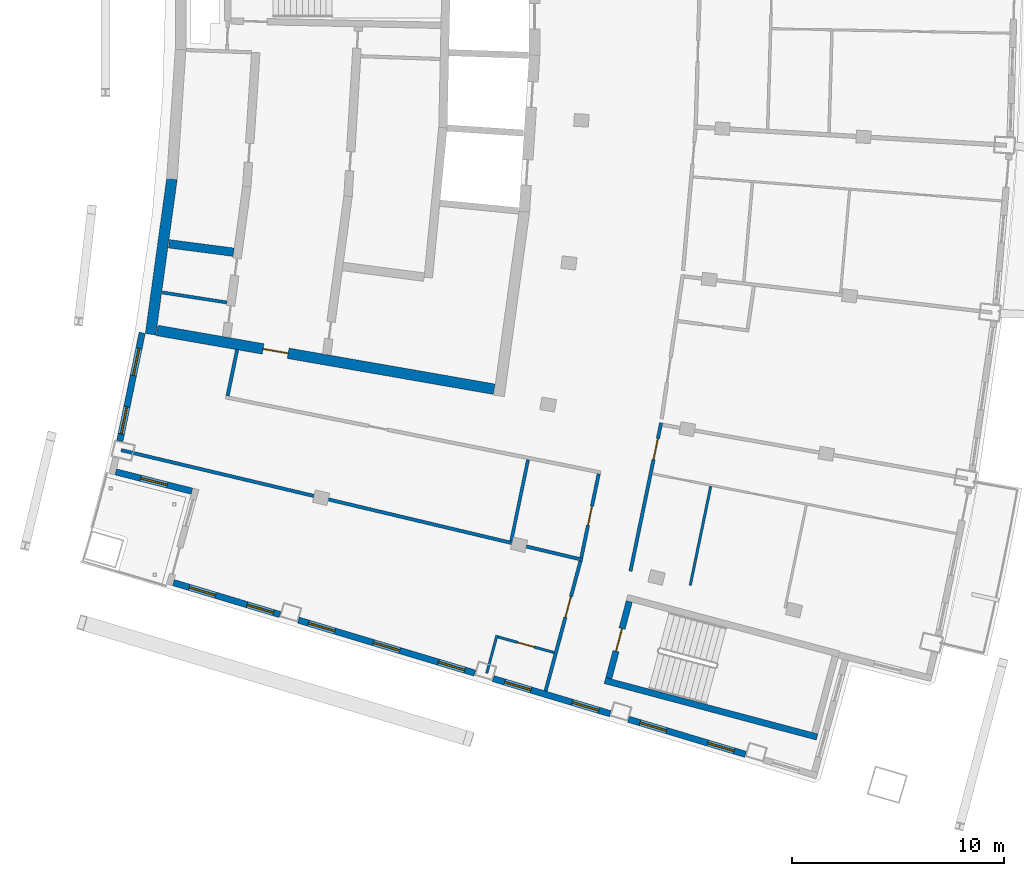
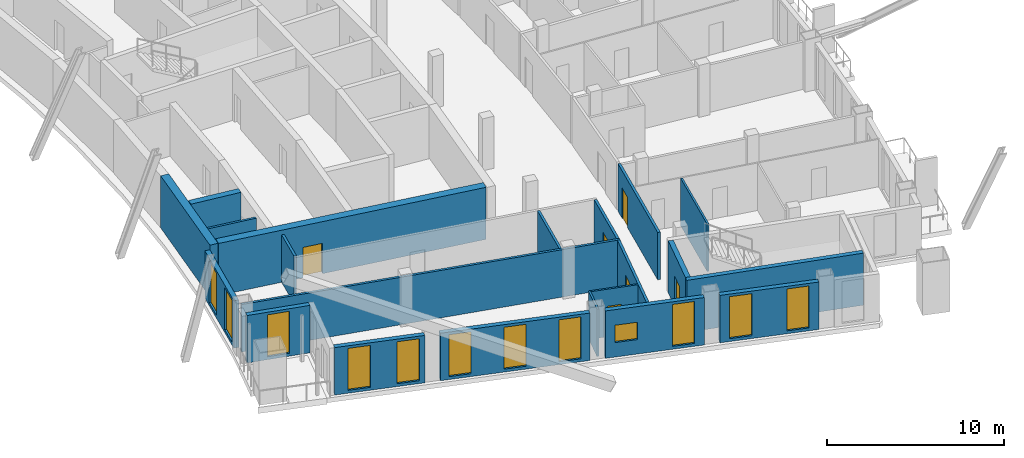
# One storey, part 7 of 17: 21 walls, 12 windows, 6 doors, 18 openings.
"""IFC4 building model written with IfcOpenShell, lengths in metres."""

from ifc_helpers import new_model, si_unit, direction, frame, frame_2d, origin, place, context, subcontext, project, spatial, rectangle, extrude, material, layer, layer_set, type_object, element, fill, save


model = new_model("IFC4")

# Units and contexts
model_context = context("Model", 3, precision=1e-05, world=origin(), true_north=direction((0.0, 1.0)))
body_context = subcontext(model_context, "Body", "Model", "MODEL_VIEW")
ifc_project = project(units=[si_unit("LENGTHUNIT", "METRE"), si_unit("AREAUNIT", "SQUARE_METRE"), si_unit("VOLUMEUNIT", "CUBIC_METRE"), si_unit("PLANEANGLEUNIT", "RADIAN"), si_unit("MASSUNIT", "GRAM", prefix="KILO")], contexts=[model_context])

# Site, building, storey
site_placement = place(None, origin())
site = spatial("IfcSite", under=ifc_project, at=site_placement, CompositionType="ELEMENT")
building_placement = place(site_placement, origin())
building = spatial("IfcBuilding", under=site, at=building_placement, Name="Alderwake Tower", CompositionType="ELEMENT")
storey_placement = place(building_placement, frame((0.0, 0.0, 278.0)))
storey = spatial("IfcBuildingStorey", under=building, at=storey_placement, Name="L69", CompositionType="ELEMENT", Elevation=278.0)

# Walls
ifc_material_1 = material(Name="Gypsum shaft wall system, rated")
ifc_layer_1 = layer(ifc_material_1, 0.14990234375)
ifc_layer_set_1 = layer_set([ifc_layer_1], Name="Core room partition 150")
wall_type_1 = type_object("IfcWallType", Name="Core room partition 150", PredefinedType="PARTITIONING", material=ifc_layer_set_1)
wall_1_placement = place(storey_placement, frame((15.826416015625, 46.128662109375, 0.0), z_axis=(0.0, 0.0, 1.0), x_axis=(0.988169349882, -0.153366671587, 0.0)))
element("IfcWall", 1, at=wall_1_placement, inside=storey, type_object=wall_type_1, Name="CW/L69/PR-161_+0", PredefinedType="PARTITIONING", context=body_context, shape_type="SweptSolid", body=[
    extrude(rectangle(XDim=3.081787109375, YDim=0.14990234375, at=frame_2d((1.541015625, 0.0))), origin(), (0.0, 0.0, 1.0), 3.280029296875),
])
ifc_material_2 = material(Name="Concrete C70/85", Category="concrete")
ifc_layer_2 = layer(ifc_material_2, 0.5)
ifc_layer_set_2 = layer_set([ifc_layer_2], Name="Core wall outer 500 C70-85")
wall_type_2 = type_object("IfcWallType", Name="Core wall outer 500 C70-85", PredefinedType="SHEAR", material=ifc_layer_set_2)
wall_2_placement = place(storey_placement, frame((15.272216796875, 44.155029296875, 0.0), z_axis=(0.0, 0.0, 1.0), x_axis=(0.13632182908, 0.990664604655, 0.0)))
element("IfcWall", 2, at=wall_2_placement, inside=storey, type_object=wall_type_2, Name="Core wall CW.028", PredefinedType="SHEAR", context=body_context, shape_type="SweptSolid", body=[
    extrude(rectangle(XDim=7.408935546875, YDim=0.5, at=frame_2d((3.70458984375, 0.0))), origin(), (0.0, 0.0, 1.0), 3.60009765625),
])

# Wall, opening, door
wall_3_placement = place(storey_placement, frame((31.47802734375, 41.564453125, 0.0), z_axis=(0.0, 0.0, 1.0), x_axis=(-0.985140274783, 0.171751678306, 0.0)))
wall_3 = element("IfcWall", 3, at=wall_3_placement, inside=storey, type_object=wall_type_2, Name="Core wall CW.072", PredefinedType="SHEAR", context=body_context, shape_type="SweptSolid", body=[
    extrude(rectangle(XDim=16.137939453125, YDim=0.5, at=frame_2d((8.06884765625, 0.0))), origin(), (0.0, 0.0, 1.0), 3.60009765625),
])
opening_1_placement = place(wall_3_placement, frame((9.859619140625, 0.0, 0.0)))
opening_1 = element("IfcOpeningElement", 4, at=opening_1_placement, cuts=wall_3, Name="Opening C003", PredefinedType="OPENING", context=body_context, shape_type="SweptSolid", body=[
    extrude(rectangle(XDim=1.199951171875, YDim=2.10009765625, at=frame_2d((0.60009765625, 1.050048828125))), frame((0.0, 0.260009765625, 0.0), z_axis=(0.0, -1.0, 0.0), x_axis=(1.0, 0.0, 0.0)), (0.0, 0.0, 1.0), 0.52001953125),
])
ifc_material_3 = material(Name="Steel-framed fire door leaf", Category="steel")
door_type_1 = type_object("IfcDoorType", Name="Core lobby exit door 1200 fire-rated", OperationType="SINGLE_SWING_LEFT", PredefinedType="DOOR", material=ifc_material_3)
door_1_placement = place(opening_1_placement, origin())
door_1 = element("IfcDoor", 5, at=door_1_placement, inside=storey, type_object=door_type_1, Name="Lobby door", OperationType="SINGLE_SWING_LEFT", OverallHeight=2.10009765625, OverallWidth=1.199951171875, PredefinedType="DOOR", context=body_context, shape_type="SweptSolid", body=[
    extrude(rectangle(XDim=1.199951171875, YDim=2.10009765625, at=frame_2d((0.60009765625, 1.050048828125))), frame((0.0, 0.02490234375, 0.0), z_axis=(0.0, -1.0, 0.0), x_axis=(1.0, 0.0, 0.0)), (0.0, 0.0, 1.0), 0.050048828125),
])
fill(opening_1, door_1)

# Walls
ifc_material_4 = material(Name="Concrete C70/85", Category="concrete")
ifc_layer_3 = layer(ifc_material_4, 0.39990234375)
ifc_layer_set_3 = layer_set([ifc_layer_3], Name="Core wall spine 400 C70-85")
wall_type_3 = type_object("IfcWallType", Name="Core wall spine 400 C70-85", PredefinedType="SHEAR", material=ifc_layer_set_3)
wall_4_placement = place(storey_placement, frame((16.142578125, 48.42529296875, 0.0), z_axis=(0.0, 0.0, 1.0), x_axis=(0.991550757989, -0.129719290517, 0.0)))
element("IfcWall", 6, at=wall_4_placement, inside=storey, type_object=wall_type_3, Name="Core wall CW.067", PredefinedType="SHEAR", context=body_context, shape_type="SweptSolid", body=[
    extrude(rectangle(XDim=3.0751953125, YDim=0.39990234375, at=frame_2d((1.53759765625, 0.0))), origin(), (0.0, 0.0, 1.0), 3.60009765625),
])
ifc_material_5 = material(Name="Concrete C70/85", Category="concrete")
ifc_layer_4 = layer(ifc_material_5, 0.300048828125)
ifc_layer_set_4 = layer_set([ifc_layer_4], Name="Core wall stair enclosure 300 C70-85")
wall_type_4 = type_object("IfcWallType", Name="Core wall stair enclosure 300 C70-85", PredefinedType="SHEAR", material=ifc_layer_set_4)
wall_5_placement = place(storey_placement, frame((36.71142578125, 27.817626953125, 0.0), z_axis=(0.0, 0.0, 1.0), x_axis=(0.966309214305, -0.257383958996, 0.0)))
element("IfcWall", 7, at=wall_5_placement, inside=storey, type_object=wall_type_4, Name="Core wall CW.088", PredefinedType="SHEAR", context=body_context, shape_type="SweptSolid", body=[
    extrude(rectangle(XDim=10.360107421875, YDim=0.300048828125, at=frame_2d((5.18017578125, 0.0))), origin(), (0.0, 0.0, 1.0), 3.60009765625),
])

# Wall, opening, door
wall_6_placement = place(storey_placement, frame((36.89501953125, 27.923828125, 0.0), z_axis=(0.0, 0.0, 1.0), x_axis=(0.257350630826, 0.966318090907, 0.0)))
wall_6 = element("IfcWall", 8, at=wall_6_placement, inside=storey, type_object=wall_type_4, Name="Core wall CW.087", PredefinedType="SHEAR", context=body_context, shape_type="SweptSolid", body=[
    extrude(rectangle(XDim=3.75, YDim=0.300048828125, at=frame_2d((1.875, 0.0))), origin(), (0.0, 0.0, 1.0), 3.60009765625),
])
opening_2_placement = place(wall_6_placement, frame((1.324951171875, 0.0, 0.0)))
opening_2 = element("IfcOpeningElement", 9, at=opening_2_placement, cuts=wall_6, Name="Opening C065", PredefinedType="OPENING", context=body_context, shape_type="SweptSolid", body=[
    extrude(rectangle(XDim=1.10009765625, YDim=2.10009765625, at=frame_2d((0.550048828125, 1.050048828125))), frame((0.0, 0.159912109375, 0.0), z_axis=(0.0, -1.0, 0.0), x_axis=(1.0, 0.0, 0.0)), (0.0, 0.0, 1.0), 0.320068359375),
])
ifc_material_6 = material(Name="Steel-framed fire door leaf", Category="steel")
door_type_2 = type_object("IfcDoorType", Name="Core stair door 1100 fire-rated", OperationType="SINGLE_SWING_LEFT", PredefinedType="DOOR", material=ifc_material_6)
door_2_placement = place(opening_2_placement, origin())
door_2 = element("IfcDoor", 10, at=door_2_placement, inside=storey, type_object=door_type_2, Name="Stair door", OperationType="SINGLE_SWING_LEFT", OverallHeight=2.10009765625, OverallWidth=1.10009765625, PredefinedType="DOOR", context=body_context, shape_type="SweptSolid", body=[
    extrude(rectangle(XDim=1.10009765625, YDim=2.10009765625, at=frame_2d((0.550048828125, 1.050048828125))), frame((0.0, 0.02490234375, 0.0), z_axis=(0.0, -1.0, 0.0), x_axis=(1.0, 0.0, 0.0)), (0.0, 0.0, 1.0), 0.050048828125),
])
fill(opening_2, door_2)

# Walls
ifc_material_7 = material(Name="Gypsum board on metal studs, rated")
ifc_layer_5 = layer(ifc_material_7, 0.159912109375)
ifc_layer_set_5 = layer_set([ifc_layer_5], Name="Corridor wall 160")
wall_type_5 = type_object("IfcWallType", Name="Corridor wall 160", PredefinedType="PARTITIONING", material=ifc_layer_set_5)
wall_7_placement = place(storey_placement, frame((13.884033203125, 38.68798828125, 0.0), z_axis=(0.0, 0.0, 1.0), x_axis=(0.972893462073, -0.231253781493, 0.0)))
element("IfcWall", 11, at=wall_7_placement, inside=storey, type_object=wall_type_5, Name="WL/L69/W08", PredefinedType="PARTITIONING", context=body_context, shape_type="SweptSolid", body=[
    extrude(rectangle(XDim=22.38037109375, YDim=0.159912109375, at=frame_2d((11.190185546875, 0.0))), origin(), (0.0, 0.0, 1.0), 3.280029296875),
])
wall_8_placement = place(storey_placement, frame((19.35888671875, 43.430908203125, 0.0), z_axis=(0.0, 0.0, 1.0), x_axis=(-0.202554916658, -0.979270905183, 0.0)))
element("IfcWall", 12, at=wall_8_placement, inside=storey, type_object=wall_type_5, Name="WL/L69/W11", PredefinedType="PARTITIONING", context=body_context, shape_type="SweptSolid", body=[
    extrude(rectangle(XDim=2.229736328125, YDim=0.159912109375, at=frame_2d((1.11474609375, 0.0))), origin(), (0.0, 0.0, 1.0), 3.280029296875),
])

# Wall, opening, door
wall_9_placement = place(storey_placement, frame((33.912109375, 27.321044921875, 0.0), z_axis=(0.0, 0.0, 1.0), x_axis=(0.259370874835, 0.965777794986, 0.0)))
wall_9 = element("IfcWall", 13, at=wall_9_placement, inside=storey, type_object=wall_type_5, Name="WL/L69/W14", PredefinedType="PARTITIONING", context=body_context, shape_type="SweptSolid", body=[
    extrude(rectangle(XDim=6.349853515625, YDim=0.159912109375, at=frame_2d((3.1748046875, 0.0))), origin(), (0.0, 0.0, 1.0), 3.280029296875),
])
opening_3_placement = place(wall_9_placement, frame((3.603515625, 0.0, 0.0)))
opening_3 = element("IfcOpeningElement", 14, at=opening_3_placement, cuts=wall_9, Name="Opening R20-U08.1", PredefinedType="OPENING", context=body_context, shape_type="SweptSolid", body=[
    extrude(rectangle(XDim=1.0, YDim=2.10009765625, at=frame_2d((0.5, 1.050048828125))), frame((0.0, 0.08984375, 0.0), z_axis=(0.0, -1.0, 0.0), x_axis=(1.0, 0.0, 0.0)), (0.0, 0.0, 1.0), 0.179931640625),
])
ifc_material_8 = material(Name="Solid timber leaf in steel frame", Category="steel")
door_type_3 = type_object("IfcDoorType", Name="Flat entrance door 1000 fire-rated", OperationType="SINGLE_SWING_LEFT", PredefinedType="DOOR", material=ifc_material_8)
door_3_placement = place(opening_3_placement, origin())
door_3 = element("IfcDoor", 15, at=door_3_placement, inside=storey, type_object=door_type_3, Name="DR/L69/U08.1", OperationType="SINGLE_SWING_LEFT", OverallHeight=2.10009765625, OverallWidth=1.0, PredefinedType="DOOR", context=body_context, shape_type="SweptSolid", body=[
    extrude(rectangle(XDim=1.0, YDim=2.10009765625, at=frame_2d((0.5, 1.050048828125))), frame((0.0, 0.02490234375, 0.0), z_axis=(0.0, -1.0, 0.0), x_axis=(1.0, 0.0, 0.0)), (0.0, 0.0, 1.0), 0.050048828125),
])
fill(opening_3, door_3)

wall_10_placement = place(storey_placement, frame((35.59619140625, 33.609375, 0.0), z_axis=(0.0, 0.0, 1.0), x_axis=(0.203245920818, 0.979127721838, 0.0)))
wall_10 = element("IfcWall", 16, at=wall_10_placement, inside=storey, type_object=wall_type_5, Name="WL/L69/W16", PredefinedType="PARTITIONING", context=body_context, shape_type="SweptSolid", body=[
    extrude(rectangle(XDim=4.046875, YDim=0.159912109375, at=frame_2d((2.0234375, 0.0))), origin(), (0.0, 0.0, 1.0), 3.280029296875),
])
opening_4_placement = place(wall_10_placement, frame((1.573486328125, 0.0, 0.0)))
opening_4 = element("IfcOpeningElement", 17, at=opening_4_placement, cuts=wall_10, Name="Opening R20-SBS2", PredefinedType="OPENING", context=body_context, shape_type="SweptSolid", body=[
    extrude(rectangle(XDim=0.89990234375, YDim=2.10009765625, at=frame_2d((0.449951171875, 1.050048828125))), frame((0.0, 0.08984375, 0.0), z_axis=(0.0, -1.0, 0.0), x_axis=(1.0, 0.0, 0.0)), (0.0, 0.0, 1.0), 0.179931640625),
])
ifc_material_9 = material(Name="Painted timber leaf", Category="wood")
door_type_4 = type_object("IfcDoorType", Name="Room door 900", OperationType="SINGLE_SWING_LEFT", PredefinedType="DOOR", material=ifc_material_9)
door_4_placement = place(opening_4_placement, origin())
door_4 = element("IfcDoor", 18, at=door_4_placement, inside=storey, type_object=door_type_4, Name="DR/L69/SBS2", OperationType="SINGLE_SWING_LEFT", OverallHeight=2.10009765625, OverallWidth=0.89990234375, PredefinedType="DOOR", context=body_context, shape_type="SweptSolid", body=[
    extrude(rectangle(XDim=0.89990234375, YDim=2.10009765625, at=frame_2d((0.449951171875, 1.050048828125))), frame((0.0, 0.02490234375, 0.0), z_axis=(0.0, -1.0, 0.0), x_axis=(1.0, 0.0, 0.0)), (0.0, 0.0, 1.0), 0.050048828125),
])
fill(opening_4, door_4)

wall_11_placement = place(storey_placement, frame((39.3642578125, 39.975341796875, 0.0), z_axis=(0.0, 0.0, 1.0), x_axis=(-0.202490391407, -0.979284249535, 0.0)))
wall_11 = element("IfcWall", 19, at=wall_11_placement, inside=storey, type_object=wall_type_5, Name="WL/L69/W18", PredefinedType="PARTITIONING", context=body_context, shape_type="SweptSolid", body=[
    extrude(rectangle(XDim=7.147216796875, YDim=0.159912109375, at=frame_2d((3.57373046875, 0.0))), origin(), (0.0, 0.0, 1.0), 3.280029296875),
])
opening_5_placement = place(wall_11_placement, frame((0.7568359375, 0.0, 0.0)))
opening_5 = element("IfcOpeningElement", 20, at=opening_5_placement, cuts=wall_11, Name="Opening R20-U03.2", PredefinedType="OPENING", context=body_context, shape_type="SweptSolid", body=[
    extrude(rectangle(XDim=1.0, YDim=2.10009765625, at=frame_2d((0.5, 1.050048828125))), frame((0.0, 0.08984375, 0.0), z_axis=(0.0, -1.0, 0.0), x_axis=(1.0, 0.0, 0.0)), (0.0, 0.0, 1.0), 0.179931640625),
])
door_5_placement = place(opening_5_placement, origin())
door_5 = element("IfcDoor", 21, at=door_5_placement, inside=storey, type_object=door_type_3, Name="DR/L69/U03.2", OperationType="SINGLE_SWING_LEFT", OverallHeight=2.10009765625, OverallWidth=1.0, PredefinedType="DOOR", context=body_context, shape_type="SweptSolid", body=[
    extrude(rectangle(XDim=1.0, YDim=2.10009765625, at=frame_2d((0.5, 1.050048828125))), frame((0.0, 0.02490234375, 0.0), z_axis=(0.0, -1.0, 0.0), x_axis=(1.0, 0.0, 0.0)), (0.0, 0.0, 1.0), 0.050048828125),
])
fill(opening_5, door_5)

# Wall, openings, windows
ifc_material_10 = material(Name="Precast concrete C50/60 spandrel panel", Category="concrete")
ifc_layer_6 = layer(ifc_material_10, 0.300048828125)
ifc_layer_set_6 = layer_set([ifc_layer_6], Name="External wall EW1 Precast concrete C50/60 spandrel")
wall_type_6 = type_object("IfcWallType", Name="External wall EW1 Precast concrete C50/60 spandrel", PredefinedType="SOLIDWALL", material=ifc_layer_set_6)
wall_12_placement = place(storey_placement, frame((14.878173828125, 44.223388671875, 0.0), z_axis=(0.0, 0.0, 1.0), x_axis=(-0.202760516883, -0.979228355795, 0.0)))
wall_12 = element("IfcWall", 22, at=wall_12_placement, inside=storey, type_object=wall_type_6, Name="External wall 32", PredefinedType="SOLIDWALL", context=body_context, shape_type="SweptSolid", body=[
    extrude(rectangle(XDim=5.211181640625, YDim=0.300048828125, at=frame_2d((2.60546875, 0.0))), origin(), (0.0, 0.0, 1.0), 3.280029296875),
])
opening_6_placement = place(wall_12_placement, frame((0.75634765625, 0.0, 0.199951171875)))
opening_6 = element("IfcOpeningElement", 23, at=opening_6_placement, cuts=wall_12, Name="Opening W1", PredefinedType="OPENING", context=body_context, shape_type="SweptSolid", body=[
    extrude(rectangle(XDim=1.300048828125, YDim=2.89990234375, at=frame_2d((0.64990234375, 1.449951171875))), frame((0.0, 0.159912109375, 0.0), z_axis=(0.0, -1.0, 0.0), x_axis=(1.0, 0.0, 0.0)), (0.0, 0.0, 1.0), 0.320068359375),
])
opening_7_placement = place(wall_12_placement, frame((3.569091796875, 0.0, 0.199951171875)))
opening_7 = element("IfcOpeningElement", 24, at=opening_7_placement, cuts=wall_12, Name="Opening W1", PredefinedType="OPENING", context=body_context, shape_type="SweptSolid", body=[
    extrude(rectangle(XDim=1.300048828125, YDim=2.89990234375, at=frame_2d((0.64990234375, 1.449951171875))), frame((0.0, 0.159912109375, 0.0), z_axis=(0.0, -1.0, 0.0), x_axis=(1.0, 0.0, 0.0)), (0.0, 0.0, 1.0), 0.320068359375),
])
ifc_material_11 = material(Name="Bronze tinted glass in aluminium frame", Category="aluminium")
window_type_1 = type_object("IfcWindowType", Name="Window W1 tall fixed and vent", PartitioningType="DOUBLE_PANEL_VERTICAL", PredefinedType="WINDOW", material=ifc_material_11)
window_1_placement = place(opening_6_placement, origin())
window_1 = element("IfcWindow", 25, at=window_1_placement, inside=storey, type_object=window_type_1, Name="Window W1 tall fixed and vent", OverallHeight=2.89990234375, OverallWidth=1.300048828125, PartitioningType="DOUBLE_PANEL_VERTICAL", PredefinedType="WINDOW", context=body_context, shape_type="SweptSolid", body=[
    extrude(rectangle(XDim=1.300048828125, YDim=2.89990234375, at=frame_2d((0.64990234375, 1.449951171875))), frame((0.0, 0.030029296875, 0.0), z_axis=(0.0, -1.0, 0.0), x_axis=(1.0, 0.0, 0.0)), (0.0, 0.0, 1.0), 0.06005859375),
])
fill(opening_6, window_1)
window_2_placement = place(opening_7_placement, origin())
window_2 = element("IfcWindow", 26, at=window_2_placement, inside=storey, type_object=window_type_1, Name="Window W1 tall fixed and vent", OverallHeight=2.89990234375, OverallWidth=1.300048828125, PartitioningType="DOUBLE_PANEL_VERTICAL", PredefinedType="WINDOW", context=body_context, shape_type="SweptSolid", body=[
    extrude(rectangle(XDim=1.300048828125, YDim=2.89990234375, at=frame_2d((0.64990234375, 1.449951171875))), frame((0.0, 0.030029296875, 0.0), z_axis=(0.0, -1.0, 0.0), x_axis=(1.0, 0.0, 0.0)), (0.0, 0.0, 1.0), 0.06005859375),
])
fill(opening_7, window_2)

# Wall, opening, window
ifc_material_12 = material(Name="Bronze metal cladding on lightweight framing")
ifc_layer_7 = layer(ifc_material_12, 0.300048828125)
ifc_layer_set_7 = layer_set([ifc_layer_7], Name="External wall EW2 bronze metal cladding")
wall_type_7 = type_object("IfcWallType", Name="External wall EW2 bronze metal cladding", PredefinedType="SOLIDWALL", material=ifc_layer_set_7)
wall_13_placement = place(storey_placement, frame((13.633056640625, 37.660400390625, 0.0), z_axis=(0.0, 0.0, 1.0), x_axis=(0.969417366605, -0.245417948254, 0.0)))
wall_13 = element("IfcWall", 27, at=wall_13_placement, inside=storey, type_object=wall_type_7, Name="External wall 2", PredefinedType="SOLIDWALL", context=body_context, shape_type="SweptSolid", body=[
    extrude(rectangle(XDim=3.70556640625, YDim=0.300048828125, at=frame_2d((1.852783203125, 0.0))), origin(), (0.0, 0.0, 1.0), 3.280029296875),
])
opening_8_placement = place(wall_13_placement, frame((1.202880859375, 0.0, 0.199951171875)))
opening_8 = element("IfcOpeningElement", 28, at=opening_8_placement, cuts=wall_13, Name="Opening W1", PredefinedType="OPENING", context=body_context, shape_type="SweptSolid", body=[
    extrude(rectangle(XDim=1.300048828125, YDim=2.89990234375, at=frame_2d((0.64990234375, 1.449951171875))), frame((0.0, 0.159912109375, 0.0), z_axis=(0.0, -1.0, 0.0), x_axis=(1.0, 0.0, 0.0)), (0.0, 0.0, 1.0), 0.320068359375),
])
window_3_placement = place(opening_8_placement, origin())
window_3 = element("IfcWindow", 29, at=window_3_placement, inside=storey, type_object=window_type_1, Name="Window W1 tall fixed and vent", OverallHeight=2.89990234375, OverallWidth=1.300048828125, PartitioningType="DOUBLE_PANEL_VERTICAL", PredefinedType="WINDOW", context=body_context, shape_type="SweptSolid", body=[
    extrude(rectangle(XDim=1.300048828125, YDim=2.89990234375, at=frame_2d((0.64990234375, 1.449951171875))), frame((0.0, 0.030029296875, 0.0), z_axis=(0.0, -1.0, 0.0), x_axis=(1.0, 0.0, 0.0)), (0.0, 0.0, 1.0), 0.06005859375),
])
fill(opening_8, window_3)

# Wall, openings, windows
wall_14_placement = place(storey_placement, frame((16.352783203125, 32.4375, 0.0), z_axis=(0.0, 0.0, 1.0), x_axis=(0.957768668152, -0.287539872551, 0.0)))
wall_14 = element("IfcWall", 30, at=wall_14_placement, inside=storey, type_object=wall_type_7, Name="External wall 4", PredefinedType="SOLIDWALL", context=body_context, shape_type="SweptSolid", body=[
    extrude(rectangle(XDim=5.249755859375, YDim=0.300048828125, at=frame_2d((2.625, 0.0))), origin(), (0.0, 0.0, 1.0), 3.280029296875),
])
opening_9_placement = place(wall_14_placement, frame((0.775390625, 0.0, 0.199951171875)))
opening_9 = element("IfcOpeningElement", 31, at=opening_9_placement, cuts=wall_14, Name="Opening W1", PredefinedType="OPENING", context=body_context, shape_type="SweptSolid", body=[
    extrude(rectangle(XDim=1.300048828125, YDim=2.89990234375, at=frame_2d((0.64990234375, 1.449951171875))), frame((0.0, 0.159912109375, 0.0), z_axis=(0.0, -1.0, 0.0), x_axis=(1.0, 0.0, 0.0)), (0.0, 0.0, 1.0), 0.320068359375),
])
opening_10_placement = place(wall_14_placement, frame((3.626220703125, 0.0, 0.199951171875)))
opening_10 = element("IfcOpeningElement", 32, at=opening_10_placement, cuts=wall_14, Name="Opening W1", PredefinedType="OPENING", context=body_context, shape_type="SweptSolid", body=[
    extrude(rectangle(XDim=1.300048828125, YDim=2.89990234375, at=frame_2d((0.64990234375, 1.449951171875))), frame((0.0, 0.159912109375, 0.0), z_axis=(0.0, -1.0, 0.0), x_axis=(1.0, 0.0, 0.0)), (0.0, 0.0, 1.0), 0.320068359375),
])
window_4_placement = place(opening_9_placement, origin())
window_4 = element("IfcWindow", 33, at=window_4_placement, inside=storey, type_object=window_type_1, Name="Window W1 tall fixed and vent", OverallHeight=2.89990234375, OverallWidth=1.300048828125, PartitioningType="DOUBLE_PANEL_VERTICAL", PredefinedType="WINDOW", context=body_context, shape_type="SweptSolid", body=[
    extrude(rectangle(XDim=1.300048828125, YDim=2.89990234375, at=frame_2d((0.64990234375, 1.449951171875))), frame((0.0, 0.030029296875, 0.0), z_axis=(0.0, -1.0, 0.0), x_axis=(1.0, 0.0, 0.0)), (0.0, 0.0, 1.0), 0.06005859375),
])
fill(opening_9, window_4)
window_5_placement = place(opening_10_placement, origin())
window_5 = element("IfcWindow", 34, at=window_5_placement, inside=storey, type_object=window_type_1, Name="Window W1 tall fixed and vent", OverallHeight=2.89990234375, OverallWidth=1.300048828125, PartitioningType="DOUBLE_PANEL_VERTICAL", PredefinedType="WINDOW", context=body_context, shape_type="SweptSolid", body=[
    extrude(rectangle(XDim=1.300048828125, YDim=2.89990234375, at=frame_2d((0.64990234375, 1.449951171875))), frame((0.0, 0.030029296875, 0.0), z_axis=(0.0, -1.0, 0.0), x_axis=(1.0, 0.0, 0.0)), (0.0, 0.0, 1.0), 0.06005859375),
])
fill(opening_10, window_5)

wall_15_placement = place(storey_placement, frame((22.24658203125, 30.668212890625, 0.0), z_axis=(0.0, 0.0, 1.0), x_axis=(0.957762902908, -0.287559075345, 0.0)))
wall_15 = element("IfcWall", 35, at=wall_15_placement, inside=storey, type_object=wall_type_7, Name="External wall 5", PredefinedType="SOLIDWALL", context=body_context, shape_type="SweptSolid", body=[
    extrude(rectangle(XDim=8.696533203125, YDim=0.300048828125, at=frame_2d((4.34814453125, 0.0))), origin(), (0.0, 0.0, 1.0), 3.280029296875),
])
opening_11_placement = place(wall_15_placement, frame((0.498046875, 0.0, 0.199951171875)))
opening_11 = element("IfcOpeningElement", 36, at=opening_11_placement, cuts=wall_15, Name="Opening W1", PredefinedType="OPENING", context=body_context, shape_type="SweptSolid", body=[
    extrude(rectangle(XDim=1.300048828125, YDim=2.89990234375, at=frame_2d((0.64990234375, 1.449951171875))), frame((0.0, 0.159912109375, 0.0), z_axis=(0.0, -1.0, 0.0), x_axis=(1.0, 0.0, 0.0)), (0.0, 0.0, 1.0), 0.320068359375),
])
opening_12_placement = place(wall_15_placement, frame((3.697998046875, 0.0, 0.199951171875)))
opening_12 = element("IfcOpeningElement", 37, at=opening_12_placement, cuts=wall_15, Name="Opening W1", PredefinedType="OPENING", context=body_context, shape_type="SweptSolid", body=[
    extrude(rectangle(XDim=1.300048828125, YDim=2.89990234375, at=frame_2d((0.64990234375, 1.449951171875))), frame((0.0, 0.159912109375, 0.0), z_axis=(0.0, -1.0, 0.0), x_axis=(1.0, 0.0, 0.0)), (0.0, 0.0, 1.0), 0.320068359375),
])
opening_13_placement = place(wall_15_placement, frame((6.898193359375, 0.0, 0.199951171875)))
opening_13 = element("IfcOpeningElement", 38, at=opening_13_placement, cuts=wall_15, Name="Opening W1", PredefinedType="OPENING", context=body_context, shape_type="SweptSolid", body=[
    extrude(rectangle(XDim=1.300048828125, YDim=2.89990234375, at=frame_2d((0.64990234375, 1.449951171875))), frame((0.0, 0.159912109375, 0.0), z_axis=(0.0, -1.0, 0.0), x_axis=(1.0, 0.0, 0.0)), (0.0, 0.0, 1.0), 0.320068359375),
])
window_6_placement = place(opening_11_placement, origin())
window_6 = element("IfcWindow", 39, at=window_6_placement, inside=storey, type_object=window_type_1, Name="Window W1 tall fixed and vent", OverallHeight=2.89990234375, OverallWidth=1.300048828125, PartitioningType="DOUBLE_PANEL_VERTICAL", PredefinedType="WINDOW", context=body_context, shape_type="SweptSolid", body=[
    extrude(rectangle(XDim=1.300048828125, YDim=2.89990234375, at=frame_2d((0.64990234375, 1.449951171875))), frame((0.0, 0.030029296875, 0.0), z_axis=(0.0, -1.0, 0.0), x_axis=(1.0, 0.0, 0.0)), (0.0, 0.0, 1.0), 0.06005859375),
])
fill(opening_11, window_6)
window_7_placement = place(opening_12_placement, origin())
window_7 = element("IfcWindow", 40, at=window_7_placement, inside=storey, type_object=window_type_1, Name="Window W1 tall fixed and vent", OverallHeight=2.89990234375, OverallWidth=1.300048828125, PartitioningType="DOUBLE_PANEL_VERTICAL", PredefinedType="WINDOW", context=body_context, shape_type="SweptSolid", body=[
    extrude(rectangle(XDim=1.300048828125, YDim=2.89990234375, at=frame_2d((0.64990234375, 1.449951171875))), frame((0.0, 0.030029296875, 0.0), z_axis=(0.0, -1.0, 0.0), x_axis=(1.0, 0.0, 0.0)), (0.0, 0.0, 1.0), 0.06005859375),
])
fill(opening_12, window_7)
window_8_placement = place(opening_13_placement, origin())
window_8 = element("IfcWindow", 41, at=window_8_placement, inside=storey, type_object=window_type_1, Name="Window W1 tall fixed and vent", OverallHeight=2.89990234375, OverallWidth=1.300048828125, PartitioningType="DOUBLE_PANEL_VERTICAL", PredefinedType="WINDOW", context=body_context, shape_type="SweptSolid", body=[
    extrude(rectangle(XDim=1.300048828125, YDim=2.89990234375, at=frame_2d((0.64990234375, 1.449951171875))), frame((0.0, 0.030029296875, 0.0), z_axis=(0.0, -1.0, 0.0), x_axis=(1.0, 0.0, 0.0)), (0.0, 0.0, 1.0), 0.06005859375),
])
fill(opening_13, window_8)

wall_16_placement = place(storey_placement, frame((31.441162109375, 27.90771484375, 0.0), z_axis=(0.0, 0.0, 1.0), x_axis=(0.957767971424, -0.287542193278, 0.0)))
wall_16 = element("IfcWall", 42, at=wall_16_placement, inside=storey, type_object=wall_type_7, Name="External wall 6", PredefinedType="SOLIDWALL", context=body_context, shape_type="SweptSolid", body=[
    extrude(rectangle(XDim=5.763427734375, YDim=0.300048828125, at=frame_2d((2.8818359375, 0.0))), origin(), (0.0, 0.0, 1.0), 3.280029296875),
])
opening_14_placement = place(wall_16_placement, frame((0.56494140625, 0.0, 1.0)))
opening_14 = element("IfcOpeningElement", 43, at=opening_14_placement, cuts=wall_16, Name="Opening W2", PredefinedType="OPENING", context=body_context, shape_type="SweptSolid", body=[
    extrude(rectangle(XDim=1.300048828125, YDim=1.199951171875, at=frame_2d((0.64990234375, 0.60009765625))), frame((0.0, 0.159912109375, 0.0), z_axis=(0.0, -1.0, 0.0), x_axis=(1.0, 0.0, 0.0)), (0.0, 0.0, 1.0), 0.320068359375),
])
opening_15_placement = place(wall_16_placement, frame((3.898193359375, 0.0, 0.199951171875)))
opening_15 = element("IfcOpeningElement", 44, at=opening_15_placement, cuts=wall_16, Name="Opening W1", PredefinedType="OPENING", context=body_context, shape_type="SweptSolid", body=[
    extrude(rectangle(XDim=1.300048828125, YDim=2.89990234375, at=frame_2d((0.64990234375, 1.449951171875))), frame((0.0, 0.159912109375, 0.0), z_axis=(0.0, -1.0, 0.0), x_axis=(1.0, 0.0, 0.0)), (0.0, 0.0, 1.0), 0.320068359375),
])
window_9_placement = place(opening_15_placement, origin())
window_9 = element("IfcWindow", 45, at=window_9_placement, inside=storey, type_object=window_type_1, Name="Window W1 tall fixed and vent", OverallHeight=2.89990234375, OverallWidth=1.300048828125, PartitioningType="DOUBLE_PANEL_VERTICAL", PredefinedType="WINDOW", context=body_context, shape_type="SweptSolid", body=[
    extrude(rectangle(XDim=1.300048828125, YDim=2.89990234375, at=frame_2d((0.64990234375, 1.449951171875))), frame((0.0, 0.030029296875, 0.0), z_axis=(0.0, -1.0, 0.0), x_axis=(1.0, 0.0, 0.0)), (0.0, 0.0, 1.0), 0.06005859375),
])
fill(opening_15, window_9)
ifc_material_13 = material(Name="Bronze tinted glass in aluminium frame", Category="aluminium")
window_type_2 = type_object("IfcWindowType", Name="Window W2 kitchen and bath", PartitioningType="SINGLE_PANEL", PredefinedType="WINDOW", material=ifc_material_13)
window_10_placement = place(opening_14_placement, origin())
window_10 = element("IfcWindow", 46, at=window_10_placement, inside=storey, type_object=window_type_2, Name="Window W2 kitchen and bath", OverallHeight=1.199951171875, OverallWidth=1.300048828125, PartitioningType="SINGLE_PANEL", PredefinedType="WINDOW", context=body_context, shape_type="SweptSolid", body=[
    extrude(rectangle(XDim=1.300048828125, YDim=1.199951171875, at=frame_2d((0.64990234375, 0.60009765625))), frame((0.0, 0.030029296875, 0.0), z_axis=(0.0, -1.0, 0.0), x_axis=(1.0, 0.0, 0.0)), (0.0, 0.0, 1.0), 0.06005859375),
])
fill(opening_14, window_10)

wall_17_placement = place(storey_placement, frame((37.826416015625, 25.990478515625, 0.0), z_axis=(0.0, 0.0, 1.0), x_axis=(0.957776135082, -0.287514999726, 0.0)))
wall_17 = element("IfcWall", 47, at=wall_17_placement, inside=storey, type_object=wall_type_7, Name="External wall 7", PredefinedType="SOLIDWALL", context=body_context, shape_type="SweptSolid", body=[
    extrude(rectangle(XDim=5.76318359375, YDim=0.300048828125, at=frame_2d((2.881591796875, 0.0))), origin(), (0.0, 0.0, 1.0), 3.280029296875),
])
opening_16_placement = place(wall_17_placement, frame((0.56494140625, 0.0, 0.199951171875)))
opening_16 = element("IfcOpeningElement", 48, at=opening_16_placement, cuts=wall_17, Name="Opening W1", PredefinedType="OPENING", context=body_context, shape_type="SweptSolid", body=[
    extrude(rectangle(XDim=1.300048828125, YDim=2.89990234375, at=frame_2d((0.64990234375, 1.449951171875))), frame((0.0, 0.159912109375, 0.0), z_axis=(0.0, -1.0, 0.0), x_axis=(1.0, 0.0, 0.0)), (0.0, 0.0, 1.0), 0.320068359375),
])
opening_17_placement = place(wall_17_placement, frame((3.898193359375, 0.0, 0.199951171875)))
opening_17 = element("IfcOpeningElement", 49, at=opening_17_placement, cuts=wall_17, Name="Opening W1", PredefinedType="OPENING", context=body_context, shape_type="SweptSolid", body=[
    extrude(rectangle(XDim=1.300048828125, YDim=2.89990234375, at=frame_2d((0.64990234375, 1.449951171875))), frame((0.0, 0.159912109375, 0.0), z_axis=(0.0, -1.0, 0.0), x_axis=(1.0, 0.0, 0.0)), (0.0, 0.0, 1.0), 0.320068359375),
])
window_11_placement = place(opening_16_placement, origin())
window_11 = element("IfcWindow", 50, at=window_11_placement, inside=storey, type_object=window_type_1, Name="Window W1 tall fixed and vent", OverallHeight=2.89990234375, OverallWidth=1.300048828125, PartitioningType="DOUBLE_PANEL_VERTICAL", PredefinedType="WINDOW", context=body_context, shape_type="SweptSolid", body=[
    extrude(rectangle(XDim=1.300048828125, YDim=2.89990234375, at=frame_2d((0.64990234375, 1.449951171875))), frame((0.0, 0.030029296875, 0.0), z_axis=(0.0, -1.0, 0.0), x_axis=(1.0, 0.0, 0.0)), (0.0, 0.0, 1.0), 0.06005859375),
])
fill(opening_16, window_11)
window_12_placement = place(opening_17_placement, origin())
window_12 = element("IfcWindow", 51, at=window_12_placement, inside=storey, type_object=window_type_1, Name="Window W1 tall fixed and vent", OverallHeight=2.89990234375, OverallWidth=1.300048828125, PartitioningType="DOUBLE_PANEL_VERTICAL", PredefinedType="WINDOW", context=body_context, shape_type="SweptSolid", body=[
    extrude(rectangle(XDim=1.300048828125, YDim=2.89990234375, at=frame_2d((0.64990234375, 1.449951171875))), frame((0.0, 0.030029296875, 0.0), z_axis=(0.0, -1.0, 0.0), x_axis=(1.0, 0.0, 0.0)), (0.0, 0.0, 1.0), 0.06005859375),
])
fill(opening_17, window_12)

# Walls
ifc_material_14 = material(Name="Gypsum shaft wall system, rated")
ifc_layer_8 = layer(ifc_material_14, 0.14990234375)
ifc_layer_set_8 = layer_set([ifc_layer_8], Name="Riser and shaft wall 150")
wall_type_8 = type_object("IfcWallType", Name="Riser and shaft wall 150", PredefinedType="PARTITIONING", material=ifc_layer_set_8)
wall_18_placement = place(storey_placement, frame((32.290283203125, 34.3955078125, 0.0), z_axis=(0.0, 0.0, 1.0), x_axis=(0.202568596204, 0.979268075571, 0.0)))
element("IfcWall", 52, at=wall_18_placement, inside=storey, type_object=wall_type_8, Name="WL/L69/W04", PredefinedType="PARTITIONING", context=body_context, shape_type="SweptSolid", body=[
    extrude(rectangle(XDim=3.926513671875, YDim=0.14990234375, at=frame_2d((1.96337890625, 0.0))), origin(), (0.0, 0.0, 1.0), 3.280029296875),
])
ifc_material_15 = material(Name="Moisture resistant gypsum board on metal studs")
ifc_layer_9 = layer(ifc_material_15, 0.1201171875)
ifc_layer_set_9 = layer_set([ifc_layer_9], Name="Wet room partition 120")
wall_type_9 = type_object("IfcWallType", Name="Wet room partition 120", PredefinedType="PARTITIONING", material=ifc_layer_set_9)
wall_19_placement = place(storey_placement, frame((31.61767578125, 29.949951171875, 0.0), z_axis=(0.0, 0.0, 1.0), x_axis=(-0.260171283127, -0.965562480338, 0.0)))
element("IfcWall", 53, at=wall_19_placement, inside=storey, type_object=wall_type_9, Name="WL/L69/W29", PredefinedType="PARTITIONING", context=body_context, shape_type="SweptSolid", body=[
    extrude(rectangle(XDim=1.85888671875, YDim=0.1201171875, at=frame_2d((0.929443359375, 0.0))), origin(), (0.0, 0.0, 1.0), 3.280029296875),
])

# Wall, opening, door
wall_20_placement = place(storey_placement, frame((34.31787109375, 29.136474609375, 0.0), z_axis=(0.0, 0.0, 1.0), x_axis=(-0.963407530319, 0.268040912036, 0.0)))
wall_20 = element("IfcWall", 54, at=wall_20_placement, inside=storey, type_object=wall_type_9, Name="WL/L69/W31", PredefinedType="PARTITIONING", context=body_context, shape_type="SweptSolid", body=[
    extrude(rectangle(XDim=2.759033203125, YDim=0.1201171875, at=frame_2d((1.37939453125, 0.0))), origin(), (0.0, 0.0, 1.0), 3.280029296875),
])
opening_18_placement = place(wall_20_placement, frame((0.9794921875, 0.0, 0.0)))
opening_18 = element("IfcOpeningElement", 55, at=opening_18_placement, cuts=wall_20, Name="Opening R20-U08.2", PredefinedType="OPENING", context=body_context, shape_type="SweptSolid", body=[
    extrude(rectangle(XDim=0.800048828125, YDim=2.10009765625, at=frame_2d((0.39990234375, 1.050048828125))), frame((0.0, 0.070068359375, 0.0), z_axis=(0.0, -1.0, 0.0), x_axis=(1.0, 0.0, 0.0)), (0.0, 0.0, 1.0), 0.14013671875),
])
ifc_material_16 = material(Name="Painted timber leaf", Category="wood")
door_type_5 = type_object("IfcDoorType", Name="Bathroom door 800", OperationType="SINGLE_SWING_LEFT", PredefinedType="DOOR", material=ifc_material_16)
door_6_placement = place(opening_18_placement, origin())
door_6 = element("IfcDoor", 56, at=door_6_placement, inside=storey, type_object=door_type_5, Name="DR/L69/U08.2", OperationType="SINGLE_SWING_LEFT", OverallHeight=2.10009765625, OverallWidth=0.800048828125, PredefinedType="DOOR", context=body_context, shape_type="SweptSolid", body=[
    extrude(rectangle(XDim=0.800048828125, YDim=2.10009765625, at=frame_2d((0.39990234375, 1.050048828125))), frame((0.0, 0.02490234375, 0.0), z_axis=(0.0, -1.0, 0.0), x_axis=(1.0, 0.0, 0.0)), (0.0, 0.0, 1.0), 0.050048828125),
])
fill(opening_18, door_6)

# Wall
wall_21_placement = place(storey_placement, frame((40.737060546875, 32.303955078125, 0.0), z_axis=(0.0, 0.0, 1.0), x_axis=(0.202548156077, 0.979272303535, 0.0)))
element("IfcWall", 57, at=wall_21_placement, inside=storey, type_object=wall_type_9, Name="WL/L69/W33", PredefinedType="PARTITIONING", context=body_context, shape_type="SweptSolid", body=[
    extrude(rectangle(XDim=4.778076171875, YDim=0.1201171875, at=frame_2d((2.38916015625, 0.0))), origin(), (0.0, 0.0, 1.0), 3.280029296875),
])

save(model, "model.ifc")
